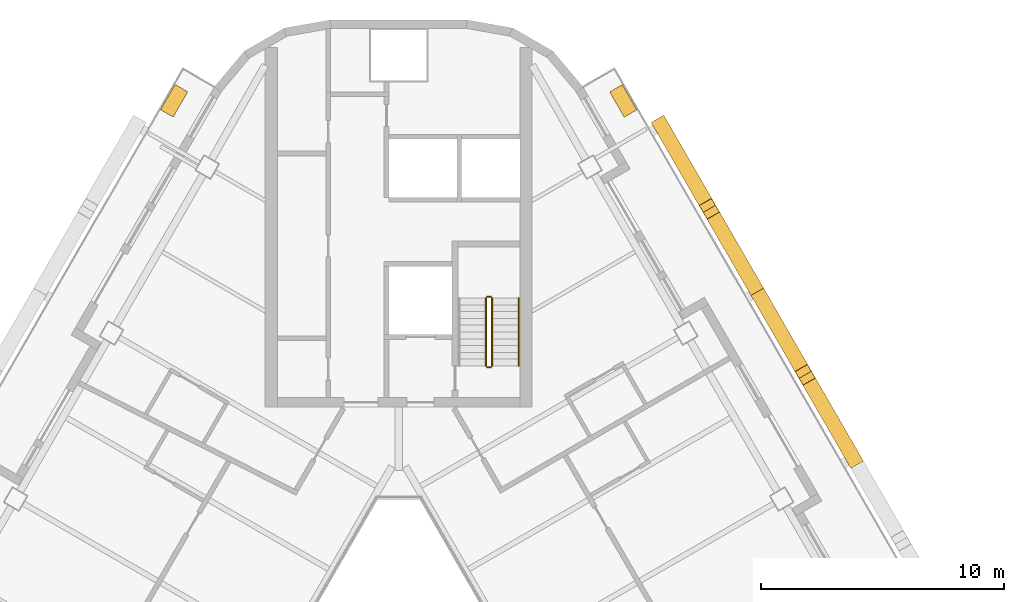
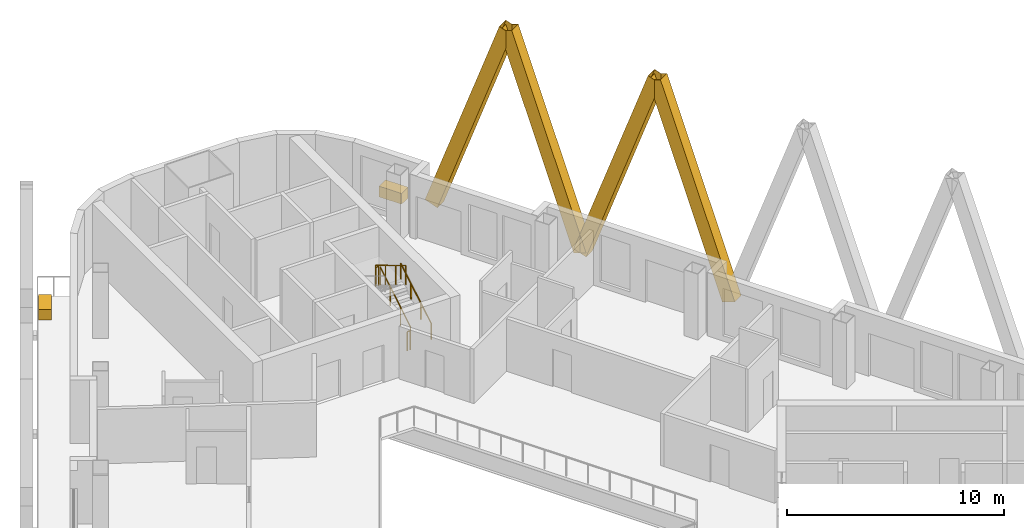
# One storey, part 13 of 13: 5 railings, 4 shading devices, 2 coverings.
"""IFC4 building model written with IfcOpenShell, lengths in metres."""

from ifc_helpers import new_model, si_unit, direction, frame, origin, origin_2d, place, context, subcontext, project, spatial, rectangle, hollow_rectangle, circle, extrude, material, material_profile, profile_set, type_object, element, save


model = new_model("IFC4")

# Units and contexts
model_context = context("Model", 3, precision=1e-05, world=origin(), true_north=direction((0.0, 1.0)))
body_context = subcontext(model_context, "Body", "Model", "MODEL_VIEW")
ifc_project = project(units=[si_unit("LENGTHUNIT", "METRE"), si_unit("AREAUNIT", "SQUARE_METRE"), si_unit("VOLUMEUNIT", "CUBIC_METRE"), si_unit("PLANEANGLEUNIT", "RADIAN"), si_unit("MASSUNIT", "GRAM", prefix="KILO")], contexts=[model_context])

# Site, building, storey
site_placement = place(None, origin())
site = spatial("IfcSite", under=ifc_project, at=site_placement, CompositionType="ELEMENT")
building_placement = place(site_placement, origin())
building = spatial("IfcBuilding", under=site, at=building_placement, Name="Apuvela Tower Hotel", CompositionType="ELEMENT")
storey_placement = place(building_placement, frame((0.0, 0.0, 191.0)))
storey = spatial("IfcBuildingStorey", under=building, at=storey_placement, Name="L46", CompositionType="ELEMENT", Elevation=191.0)

# Railings
ifc_material_1 = material(Name="Steel S275 balustrade", Category="steel")
railing_type_1 = type_object("IfcRailingType", Name="COR-GUARD-1100", PredefinedType="GUARDRAIL", material=ifc_material_1)
railing_1_placement = place(storey_placement, frame((3.85009765625, 14.60009765625, 0.168212890625)))
element("IfcRailing", 1, at=railing_1_placement, inside=storey, type_object=railing_type_1, Name="L46 ST1 stair guard 1", PredefinedType="GUARDRAIL", context=body_context, shape_type="SweptSolid", body=[
    extrude(rectangle(XDim=0.048095703125, YDim=0.048095703125, at=origin_2d()), frame((0.0, 0.0, 1.076171875), z_axis=(0.0, 0.857222391501, 0.514946377315), x_axis=(-1.0, 0.0, 0.0)), (0.0, 0.0, 1.0), 3.26611328125),
    extrude(rectangle(XDim=0.0419921875, YDim=0.0419921875, at=origin_2d()), origin(), (0.0, 0.0, 1.0), 1.052001953125),
    extrude(rectangle(XDim=0.0419921875, YDim=0.0419921875, at=origin_2d()), frame((0.0, 0.933349609375, 0.560546875)), (0.0, 0.0, 1.0), 1.052001953125),
    extrude(rectangle(XDim=0.0419921875, YDim=0.0419921875, at=origin_2d()), frame((0.0, 1.866455078125, 1.121337890625)), (0.0, 0.0, 1.0), 1.052001953125),
    extrude(rectangle(XDim=0.0419921875, YDim=0.0419921875, at=origin_2d()), frame((0.0, 2.7998046875, 1.681884765625)), (0.0, 0.0, 1.0), 1.052001953125),
])
railing_2_placement = place(storey_placement, frame((3.800048828125, 17.449951171875, 1.85009765625)))
element("IfcRailing", 2, at=railing_2_placement, inside=storey, type_object=railing_type_1, Name="L46 ST1 stair guard 2", PredefinedType="GUARDRAIL", context=body_context, shape_type="SweptSolid", body=[
    extrude(rectangle(XDim=0.048095703125, YDim=0.048095703125, at=origin_2d()), frame((0.0, 0.0, 1.076171875), z_axis=(-1.0, 0.0, 0.0), x_axis=(0.0, -1.0, 0.0)), (0.0, 0.0, 1.0), 0.150146484375),
    extrude(rectangle(XDim=0.0419921875, YDim=0.0419921875, at=origin_2d()), origin(), (0.0, 0.0, 1.0), 1.052001953125),
    extrude(rectangle(XDim=0.0419921875, YDim=0.0419921875, at=origin_2d()), frame((-0.150146484375, 0.0, 0.0)), (0.0, 0.0, 1.0), 1.052001953125),
])
railing_3_placement = place(storey_placement, frame((3.60009765625, 17.39990234375, 2.01806640625)))
element("IfcRailing", 3, at=railing_3_placement, inside=storey, type_object=railing_type_1, Name="L46 ST1 stair guard 3", PredefinedType="GUARDRAIL", context=body_context, shape_type="SweptSolid", body=[
    extrude(rectangle(XDim=0.048095703125, YDim=0.048095703125, at=origin_2d()), frame((0.0, 0.0, 1.076171875), z_axis=(0.0, -0.857222391501, 0.514946377315), x_axis=(1.0, 0.0, 0.0)), (0.0, 0.0, 1.0), 3.26611328125),
    extrude(rectangle(XDim=0.0419921875, YDim=0.0419921875, at=origin_2d()), origin(), (0.0, 0.0, 1.0), 1.052001953125),
    extrude(rectangle(XDim=0.0419921875, YDim=0.0419921875, at=origin_2d()), frame((0.0, -0.933349609375, 0.560546875)), (0.0, 0.0, 1.0), 1.052001953125),
    extrude(rectangle(XDim=0.0419921875, YDim=0.0419921875, at=origin_2d()), frame((0.0, -1.866455078125, 1.121337890625)), (0.0, 0.0, 1.0), 1.052001953125),
    extrude(rectangle(XDim=0.0419921875, YDim=0.0419921875, at=origin_2d()), frame((0.0, -2.7998046875, 1.681884765625)), (0.0, 0.0, 1.0), 1.052001953125),
])
railing_4_placement = place(storey_placement, frame((3.800048828125, 14.550048828125, 0.0)))
element("IfcRailing", 4, at=railing_4_placement, inside=storey, type_object=railing_type_1, Name="L46 ST1 stair guard 4", PredefinedType="GUARDRAIL", context=body_context, shape_type="SweptSolid", body=[
    extrude(rectangle(XDim=0.048095703125, YDim=0.048095703125, at=origin_2d()), frame((0.0, 0.0, 1.076171875), z_axis=(-1.0, 0.0, 0.0), x_axis=(0.0, -1.0, 0.0)), (0.0, 0.0, 1.0), 0.150146484375),
    extrude(rectangle(XDim=0.0419921875, YDim=0.0419921875, at=origin_2d()), origin(), (0.0, 0.0, 1.0), 1.052001953125),
    extrude(rectangle(XDim=0.0419921875, YDim=0.0419921875, at=origin_2d()), frame((-0.150146484375, 0.0, 0.0)), (0.0, 0.0, 1.0), 1.052001953125),
])
ifc_material_2 = material(Name="Stainless steel 316 handrail", Category="steel")
railing_type_2 = type_object("IfcRailingType", Name="COR-HANDRAIL-900", PredefinedType="HANDRAIL", material=ifc_material_2)
railing_5_placement = place(storey_placement, frame((4.949951171875, 14.60009765625, 0.168212890625)))
element("IfcRailing", 5, at=railing_5_placement, inside=storey, type_object=railing_type_2, Name="L46 ST1 stair handrail 1", PredefinedType="HANDRAIL", context=body_context, shape_type="SweptSolid", body=[
    extrude(circle(Radius=0.02392578125, at=origin_2d()), frame((0.0, 0.0, 0.8759765625), z_axis=(0.0, 0.857222391501, 0.514946377315), x_axis=(-1.0, 0.0, 0.0)), (0.0, 0.0, 1.0), 3.26611328125),
    extrude(rectangle(XDim=0.0419921875, YDim=0.0419921875, at=origin_2d()), origin(), (0.0, 0.0, 1.0), 0.851806640625),
    extrude(rectangle(XDim=0.0419921875, YDim=0.0419921875, at=origin_2d()), frame((0.0, 0.933349609375, 0.560546875)), (0.0, 0.0, 1.0), 0.851806640625),
    extrude(rectangle(XDim=0.0419921875, YDim=0.0419921875, at=origin_2d()), frame((0.0, 1.866455078125, 1.121337890625)), (0.0, 0.0, 1.0), 0.851806640625),
    extrude(rectangle(XDim=0.0419921875, YDim=0.0419921875, at=origin_2d()), frame((0.0, 2.7998046875, 1.681884765625)), (0.0, 0.0, 1.0), 0.851806640625),
])

# Shading devices
ifc_material_3 = material(Name="Aluminium 6063-T6, black anodised", Category="aluminium")
ifc_material_profile = material_profile(ifc_material_3, hollow_rectangle(XDim=0.60009765625, YDim=0.699951171875, WallThickness=0.011962890625, at=origin_2d()), Name="AL BOX 700x600x12")
ifc_profile_set = profile_set([ifc_material_profile], Name="Aluminium 6063-T6, black anodised")
shading_device_type = type_object("IfcShadingDeviceType", Name="ENV-FIN-700x600", PredefinedType="USERDEFINED", material=ifc_profile_set)
for number, where, z_axis, x_axis, name in (
    (6, (18.732177734375, 10.81494140625, -0.10009765625), (-0.1676367533, 0.290349343294, 0.942122697844), (-0.866020906874, -0.500007788796, 0.0), "Lattice fin NE469"),
    (7, (14.781982421875, 17.656494140625, -0.10009765625), (0.167637761855, -0.290330368522, 0.942128365943), (0.866005453737, 0.500034552904, 0.0), "Lattice fin NE470"),
    (8, (14.781982421875, 17.656494140625, -0.10009765625), (-0.167616614035, 0.290350351818, 0.942125970292), (-0.866047669374, -0.499961432884, 0.0), "Lattice fin NE471"),
    (9, (10.83203125, 24.498291015625, -0.10009765625), (0.1676367533, -0.290349343294, 0.942122697844), (0.866020906874, 0.500007788796, 0.0), "Lattice fin NE472"),
):
    element("IfcShadingDevice", number, at=place(storey_placement, frame(where, z_axis=z_axis, x_axis=x_axis)), inside=storey, type_object=shading_device_type, Name=name, ObjectType="FIN", PredefinedType="USERDEFINED", context=body_context, shape_type="SweptSolid", body=[
        extrude(hollow_rectangle(XDim=0.60009765625, YDim=0.699951171875, WallThickness=0.011962890625, at=origin_2d()), origin(), (0.0, 0.0, 1.0), 11.781982421875),
    ])

# Coverings
ifc_material_4 = material(Name="Planting substrate and soil, planted")
covering_type = type_object("IfcCoveringType", Name="ENV-PLANTER-1200x600", PredefinedType="USERDEFINED", material=ifc_material_4)
for number, where, z_axis, x_axis, name in (
    (10, (9.2578125, 25.52490234375, 0.0), (0.0, 0.0, 1.0), (-0.5, 0.866025403784, 0.0), "Planter NE3"),
    (11, (-9.253662109375, 25.5322265625, 0.0), (0.0, 0.0, 1.0), (-0.5, -0.866025403784, 0.0), "Planter NW4"),
):
    element("IfcCovering", number, at=place(storey_placement, frame(where, z_axis=z_axis, x_axis=x_axis)), inside=storey, type_object=covering_type, Name=name, ObjectType="PLANTER", PredefinedType="USERDEFINED", context=body_context, shape_type="SweptSolid", body=[
        extrude(rectangle(XDim=1.199951171875, YDim=0.60009765625, at=origin_2d()), origin(), (0.0, 0.0, 1.0), 0.60009765625),
    ])

save(model, "model.ifc")
